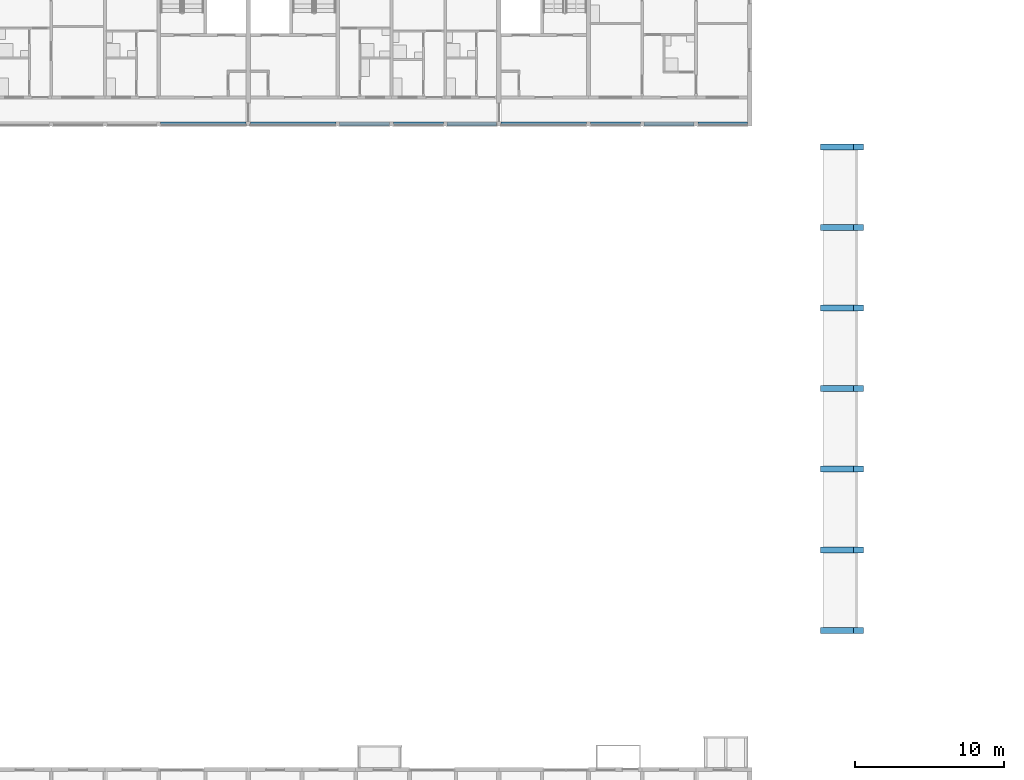
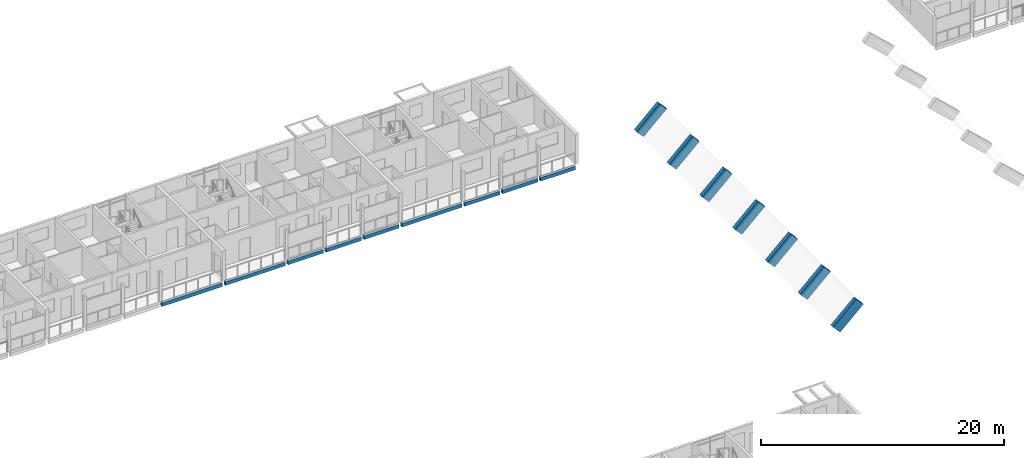
# One storey, part 11 of 98: 16 beams.
"""IFC4 building model written with IfcOpenShell, lengths in metres."""

from ifc_helpers import new_model, si_unit, direction, frame, origin, origin_2d, place, context, subcontext, project, spatial, rectangle, extrude, material, material_profile, profile_set, type_object, element, save


model = new_model("IFC4")

# Units and contexts
model_context = context("Model", 3, precision=1e-05, world=origin(), true_north=direction((0.0, 1.0)))
body_context = subcontext(model_context, "Body", "Model", "MODEL_VIEW")
ifc_project = project(units=[si_unit("LENGTHUNIT", "METRE"), si_unit("AREAUNIT", "SQUARE_METRE"), si_unit("VOLUMEUNIT", "CUBIC_METRE"), si_unit("PLANEANGLEUNIT", "RADIAN"), si_unit("MASSUNIT", "GRAM", prefix="KILO")], contexts=[model_context])

# Site, building, storey
site_placement = place(None, origin())
site = spatial("IfcSite", under=ifc_project, at=site_placement, CompositionType="ELEMENT")
building_placement = place(site_placement, origin())
building = spatial("IfcBuilding", under=site, at=building_placement, Name="Ridgestep Commons", CompositionType="ELEMENT")
storey_placement = place(building_placement, frame((0.0, 0.0, 12.0)))
storey = spatial("IfcBuildingStorey", under=building, at=storey_placement, Name="L04", CompositionType="ELEMENT", Elevation=12.0)

# Beams
ifc_material_1 = material(Name="Precast concrete C50/60", Category="concrete")
ifc_material_profile_1 = material_profile(ifc_material_1, rectangle(XDim=0.39990234375, YDim=1.0, at=origin_2d()), Name="Hall vault rib 400 x 1000")
ifc_profile_set_1 = profile_set([ifc_material_profile_1], Name="Precast concrete C50/60")
beam_type_1 = type_object("IfcBeamType", Name="Hall vault rib 400 x 1000", PredefinedType="BEAM", material=ifc_profile_set_1)
for number, where, z_axis, x_axis, name in (
    (1, (117.874267578125, 32.199951171875, 2.148681640625), (0.732296720252, 0.0, 0.680985692587), (0.0, 1.0, 0.0), "Hall vault rib R1"),
    (2, (117.874267578125, 37.60009765625, 2.148681640625), (0.732296720252, 0.0, 0.680985692587), (0.0, 1.0, 0.0), "Hall vault rib R2"),
    (3, (117.874267578125, 43.0, 2.148681640625), (0.732296720252, 0.0, 0.680985692587), (0.0, 1.0, 0.0), "Hall vault rib R3"),
    (4, (117.874267578125, 48.39990234375, 2.148681640625), (0.732296720252, 0.0, 0.680985692587), (0.0, 1.0, 0.0), "Hall vault rib R4"),
    (5, (117.874267578125, 53.800048828125, 2.148681640625), (0.732296720252, 0.0, 0.680985692587), (0.0, 1.0, 0.0), "Hall vault rib R5"),
    (6, (117.874267578125, 59.199951171875, 2.148681640625), (0.732296720252, 0.0, 0.680985692587), (0.0, 1.0, 0.0), "Hall vault rib R6"),
    (7, (117.874267578125, 64.60009765625, 2.148681640625), (0.732296720252, 0.0, 0.680985692587), (0.0, 1.0, 0.0), "Hall vault rib R7"),
):
    element("IfcBeam", number, at=place(storey_placement, frame(where, z_axis=z_axis, x_axis=x_axis)), inside=storey, type_object=beam_type_1, Name=name, PredefinedType="BEAM", context=body_context, shape_type="SweptSolid", body=[
        extrude(rectangle(XDim=0.39990234375, YDim=1.0, at=origin_2d()), origin(), (0.0, 0.0, 1.0), 3.011962890625),
    ])
ifc_material_2 = material(Name="Precast concrete C40/50", Category="concrete")
ifc_material_profile_2 = material_profile(ifc_material_2, rectangle(XDim=0.25, YDim=0.35009765625, at=origin_2d()), Name="PC 250x350")
ifc_profile_set_2 = profile_set([ifc_material_profile_2], Name="Precast concrete C40/50")
beam_type_2 = type_object("IfcBeamType", Name="Loggia edge beam 250 x 350", PredefinedType="SPANDREL", material=ifc_profile_set_2)
beam_1_placement = place(storey_placement, frame((73.324951171875, 66.125, -0.375), z_axis=(1.0, 0.0, 0.0), x_axis=(0.0, 1.0, 0.0)))
element("IfcBeam", 8, at=beam_1_placement, inside=storey, type_object=beam_type_2, Name="Loggia edge beam B4C L04", PredefinedType="SPANDREL", context=body_context, shape_type="SweptSolid", body=[
    extrude(rectangle(XDim=0.25, YDim=0.35009765625, at=origin_2d()), origin(), (0.0, 0.0, 1.0), 5.72509765625),
])
beam_2_placement = place(storey_placement, frame((79.35009765625, 66.125, -0.375), z_axis=(1.0, 0.0, 0.0), x_axis=(0.0, 1.0, 0.0)))
element("IfcBeam", 9, at=beam_2_placement, inside=storey, type_object=beam_type_2, Name="Loggia edge beam B5C L04", PredefinedType="SPANDREL", context=body_context, shape_type="SweptSolid", body=[
    extrude(rectangle(XDim=0.25, YDim=0.35009765625, at=origin_2d()), origin(), (0.0, 0.0, 1.0), 5.724853515625),
])
beam_3_placement = place(storey_placement, frame((85.324951171875, 66.125, -0.375), z_axis=(1.0, 0.0, 0.0), x_axis=(0.0, 1.0, 0.0)))
element("IfcBeam", 10, at=beam_3_placement, inside=storey, type_object=beam_type_2, Name="Loggia edge beam B5T3 L04", PredefinedType="SPANDREL", context=body_context, shape_type="SweptSolid", body=[
    extrude(rectangle(XDim=0.25, YDim=0.35009765625, at=origin_2d()), origin(), (0.0, 0.0, 1.0), 3.35009765625),
])
beam_4_placement = place(storey_placement, frame((88.925048828125, 66.125, -0.375), z_axis=(1.0, 0.0, 0.0), x_axis=(0.0, 1.0, 0.0)))
element("IfcBeam", 11, at=beam_4_placement, inside=storey, type_object=beam_type_2, Name="Loggia edge beam B5T2 L04", PredefinedType="SPANDREL", context=body_context, shape_type="SweptSolid", body=[
    extrude(rectangle(XDim=0.25, YDim=0.35009765625, at=origin_2d()), origin(), (0.0, 0.0, 1.0), 3.349853515625),
])
beam_5_placement = place(storey_placement, frame((92.52490234375, 66.125, -0.375), z_axis=(1.0, 0.0, 0.0), x_axis=(0.0, 1.0, 0.0)))
element("IfcBeam", 12, at=beam_5_placement, inside=storey, type_object=beam_type_2, Name="Loggia edge beam B5T1 L04", PredefinedType="SPANDREL", context=body_context, shape_type="SweptSolid", body=[
    extrude(rectangle(XDim=0.25, YDim=0.35009765625, at=origin_2d()), origin(), (0.0, 0.0, 1.0), 3.3251953125),
])
beam_6_placement = place(storey_placement, frame((96.14990234375, 66.125, -0.375), z_axis=(1.0, 0.0, 0.0), x_axis=(0.0, 1.0, 0.0)))
element("IfcBeam", 13, at=beam_6_placement, inside=storey, type_object=beam_type_2, Name="Loggia edge beam B6C L04", PredefinedType="SPANDREL", context=body_context, shape_type="SweptSolid", body=[
    extrude(rectangle(XDim=0.25, YDim=0.35009765625, at=origin_2d()), origin(), (0.0, 0.0, 1.0), 5.72509765625),
])
beam_7_placement = place(storey_placement, frame((102.125, 66.125, -0.375), z_axis=(1.0, 0.0, 0.0), x_axis=(0.0, 1.0, 0.0)))
element("IfcBeam", 14, at=beam_7_placement, inside=storey, type_object=beam_type_2, Name="Loggia edge beam B6T3 L04", PredefinedType="SPANDREL", context=body_context, shape_type="SweptSolid", body=[
    extrude(rectangle(XDim=0.25, YDim=0.35009765625, at=origin_2d()), origin(), (0.0, 0.0, 1.0), 3.35009765625),
])
beam_8_placement = place(storey_placement, frame((105.72509765625, 66.125, -0.375), z_axis=(1.0, 0.0, 0.0), x_axis=(0.0, 1.0, 0.0)))
element("IfcBeam", 15, at=beam_8_placement, inside=storey, type_object=beam_type_2, Name="Loggia edge beam B6T2 L04", PredefinedType="SPANDREL", context=body_context, shape_type="SweptSolid", body=[
    extrude(rectangle(XDim=0.25, YDim=0.35009765625, at=origin_2d()), origin(), (0.0, 0.0, 1.0), 3.349853515625),
])
beam_9_placement = place(storey_placement, frame((109.324951171875, 66.125, -0.375), z_axis=(1.0, 0.0, 0.0), x_axis=(0.0, 1.0, 0.0)))
element("IfcBeam", 16, at=beam_9_placement, inside=storey, type_object=beam_type_2, Name="Loggia edge beam B6T1 L04", PredefinedType="SPANDREL", context=body_context, shape_type="SweptSolid", body=[
    extrude(rectangle(XDim=0.25, YDim=0.35009765625, at=origin_2d()), origin(), (0.0, 0.0, 1.0), 3.324951171875),
])

save(model, "model.ifc")
